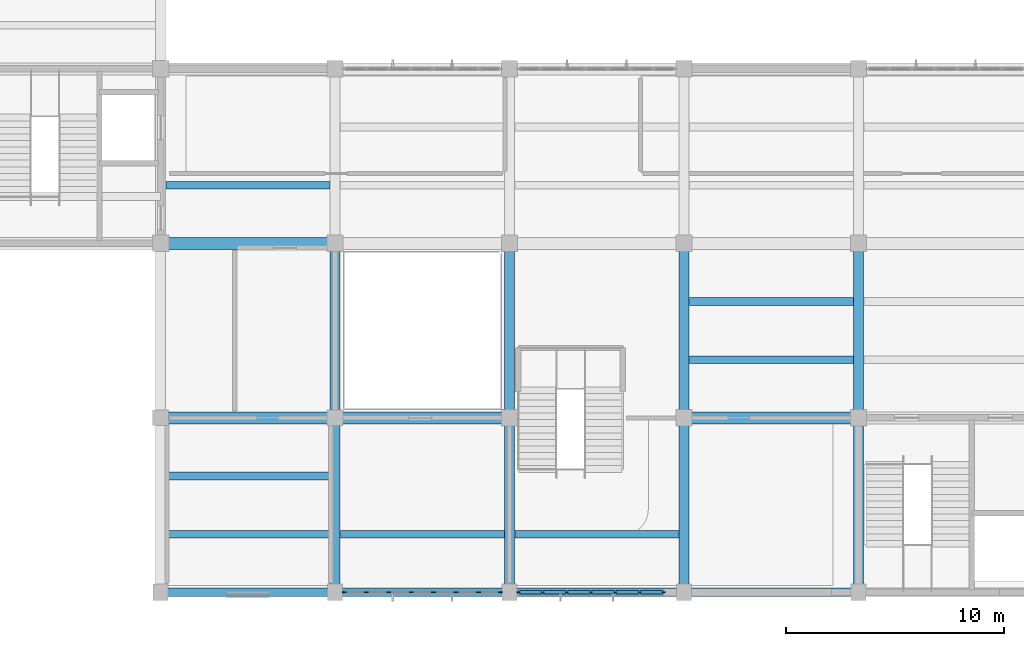
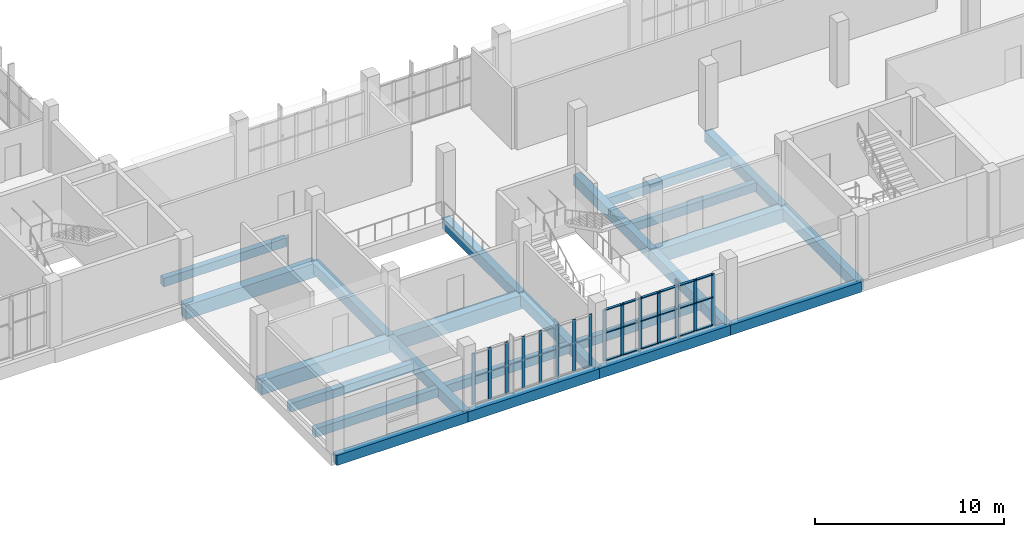
# One storey, part 12 of 85: 33 members, 23 beams, 2 elements without a shape of their own.
"""IFC4 building model written with IfcOpenShell, lengths in metres."""

from ifc_helpers import new_model, si_unit, direction, frame, origin, origin_2d, place, context, subcontext, project, spatial, rectangle, extrude, material, layer, layer_set, material_profile, profile_set, type_object, element, aggregate, save


model = new_model("IFC4")

# Units and contexts
model_context = context("Model", 3, precision=1e-05, world=origin(), true_north=direction((0.0, 1.0)))
body_context = subcontext(model_context, "Body", "Model", "MODEL_VIEW")
ifc_project = project(units=[si_unit("LENGTHUNIT", "METRE"), si_unit("AREAUNIT", "SQUARE_METRE"), si_unit("VOLUMEUNIT", "CUBIC_METRE"), si_unit("PLANEANGLEUNIT", "RADIAN"), si_unit("MASSUNIT", "GRAM", prefix="KILO")], contexts=[model_context])

# Site, building, storey
site_placement = place(None, origin())
site = spatial("IfcSite", under=ifc_project, at=site_placement, CompositionType="ELEMENT")
building_placement = place(site_placement, origin())
building = spatial("IfcBuilding", under=site, at=building_placement, Name="Solvane Community Centre", CompositionType="ELEMENT")
storey_placement = place(building_placement, frame((0.0, 0.0, 5.39990234375)))
storey = spatial("IfcBuildingStorey", under=building, at=storey_placement, Name="L01", CompositionType="ELEMENT", Elevation=5.39990234375)

# Curtain wall, members
ifc_material_1 = material(Name="Anodised bronze aluminium AW-6063 T6", Category="aluminium")
ifc_layer_1 = layer(ifc_material_1, 0.18994140625)
ifc_layer_set_1 = layer_set([ifc_layer_1], Name="Anodised bronze aluminium AW-6063 T6")
curtain_wall_type_1 = type_object("IfcCurtainWallType", Name="Boulevard Bronze Vision Curtain Wall [67x33dm]", PredefinedType="NOTDEFINED", material=ifc_layer_set_1)
curtain_wall_1_placement = place(storey_placement, origin())
curtain_wall_1 = element("IfcCurtainWall", 1, at=curtain_wall_1_placement, inside=storey, type_object=curtain_wall_type_1, Name="Curtain Wall CW-L01-911_60-078", PredefinedType="NOTDEFINED")
ifc_material_profile_1 = material_profile(ifc_material_1, rectangle(XDim=0.06005859375, YDim=0.18994140625, at=origin_2d()), Name="CW-M 60x190")
ifc_profile_set_1 = profile_set([ifc_material_profile_1], Name="Anodised bronze aluminium AW-6063 T6")
member_type_1 = type_object("IfcMemberType", Name="Boulevard Mullion 60x190", PredefinedType="MULLION", material=ifc_profile_set_1)
member_1_placement = place(storey_placement, frame((91.046875, 6.0, 0.0), z_axis=(0.0, 0.0, 1.0), x_axis=(0.0, -1.0, 0.0)))
member_1 = element("IfcMember", 2, at=member_1_placement, type_object=member_type_1, Name="CW02-67x33 mullion 1", PredefinedType="MULLION", context=body_context, shape_type="SweptSolid", body=[
    extrude(rectangle(XDim=0.06005859375, YDim=0.18994140625, at=origin_2d()), origin(), (0.0, 0.0, 1.0), 3.315185546875),
])
member_2_placement = place(storey_placement, frame((89.963134765625, 6.0, 0.0), z_axis=(0.0, 0.0, 1.0), x_axis=(0.0, -1.0, 0.0)))
member_2 = element("IfcMember", 3, at=member_2_placement, type_object=member_type_1, Name="CW02-67x33 mullion 2", PredefinedType="MULLION", context=body_context, shape_type="SweptSolid", body=[
    extrude(rectangle(XDim=0.06005859375, YDim=0.18994140625, at=origin_2d()), origin(), (0.0, 0.0, 1.0), 3.315185546875),
])
member_3_placement = place(storey_placement, frame((88.849609375, 6.0, 0.0), z_axis=(0.0, 0.0, 1.0), x_axis=(0.0, -1.0, 0.0)))
member_3 = element("IfcMember", 4, at=member_3_placement, type_object=member_type_1, Name="CW02-67x33 mullion 3", PredefinedType="MULLION", context=body_context, shape_type="SweptSolid", body=[
    extrude(rectangle(XDim=0.06005859375, YDim=0.18994140625, at=origin_2d()), origin(), (0.0, 0.0, 1.0), 3.315185546875),
])
member_4_placement = place(storey_placement, frame((87.73583984375, 6.0, 0.0), z_axis=(0.0, 0.0, 1.0), x_axis=(0.0, -1.0, 0.0)))
member_4 = element("IfcMember", 5, at=member_4_placement, type_object=member_type_1, Name="CW02-67x33 mullion 4", PredefinedType="MULLION", context=body_context, shape_type="SweptSolid", body=[
    extrude(rectangle(XDim=0.06005859375, YDim=0.18994140625, at=origin_2d()), origin(), (0.0, 0.0, 1.0), 3.315185546875),
])
member_5_placement = place(storey_placement, frame((86.622314453125, 6.0, 0.0), z_axis=(0.0, 0.0, 1.0), x_axis=(0.0, -1.0, 0.0)))
member_5 = element("IfcMember", 6, at=member_5_placement, type_object=member_type_1, Name="CW02-67x33 mullion 5", PredefinedType="MULLION", context=body_context, shape_type="SweptSolid", body=[
    extrude(rectangle(XDim=0.06005859375, YDim=0.18994140625, at=origin_2d()), origin(), (0.0, 0.0, 1.0), 3.315185546875),
])
member_6_placement = place(storey_placement, frame((85.508544921875, 6.0, 0.0), z_axis=(0.0, 0.0, 1.0), x_axis=(0.0, -1.0, 0.0)))
member_6 = element("IfcMember", 7, at=member_6_placement, type_object=member_type_1, Name="CW02-67x33 mullion 6", PredefinedType="MULLION", context=body_context, shape_type="SweptSolid", body=[
    extrude(rectangle(XDim=0.06005859375, YDim=0.18994140625, at=origin_2d()), origin(), (0.0, 0.0, 1.0), 3.315185546875),
])
member_7_placement = place(storey_placement, frame((84.425048828125, 6.0, 0.0), z_axis=(0.0, 0.0, 1.0), x_axis=(0.0, -1.0, 0.0)))
member_7 = element("IfcMember", 8, at=member_7_placement, type_object=member_type_1, Name="CW02-67x33 mullion 7", PredefinedType="MULLION", context=body_context, shape_type="SweptSolid", body=[
    extrude(rectangle(XDim=0.06005859375, YDim=0.18994140625, at=origin_2d()), origin(), (0.0, 0.0, 1.0), 3.315185546875),
])

ifc_layer_2 = layer(ifc_material_1, 0.18994140625)
ifc_layer_set_2 = layer_set([ifc_layer_2], Name="Anodised bronze aluminium AW-6063 T6")
curtain_wall_type_2 = type_object("IfcCurtainWallType", Name="Boulevard Bronze Vision Curtain Wall [72x33dm]", PredefinedType="NOTDEFINED", material=ifc_layer_set_2)
curtain_wall_2_placement = place(storey_placement, origin())
curtain_wall_2 = element("IfcCurtainWall", 9, at=curtain_wall_2_placement, inside=storey, type_object=curtain_wall_type_2, Name="Curtain Wall CW-L01-836_60-079", PredefinedType="NOTDEFINED")
member_8_placement = place(storey_placement, frame((83.574951171875, 6.0, 0.0), z_axis=(0.0, 0.0, 1.0), x_axis=(0.0, -1.0, 0.0)))
member_8 = element("IfcMember", 10, at=member_8_placement, type_object=member_type_1, Name="CW02-72x33 mullion 1", PredefinedType="MULLION", context=body_context, shape_type="SweptSolid", body=[
    extrude(rectangle(XDim=0.06005859375, YDim=0.18994140625, at=origin_2d()), origin(), (0.0, 0.0, 1.0), 3.315185546875),
])
member_9_placement = place(storey_placement, frame((82.574951171875, 6.0, 0.0), z_axis=(0.0, 0.0, 1.0), x_axis=(0.0, -1.0, 0.0)))
member_9 = element("IfcMember", 11, at=member_9_placement, type_object=member_type_1, Name="CW02-72x33 mullion 2", PredefinedType="MULLION", context=body_context, shape_type="SweptSolid", body=[
    extrude(rectangle(XDim=0.06005859375, YDim=0.18994140625, at=origin_2d()), origin(), (0.0, 0.0, 1.0), 3.315185546875),
])
member_10_placement = place(storey_placement, frame((81.544921875, 6.0, 0.0), z_axis=(0.0, 0.0, 1.0), x_axis=(0.0, -1.0, 0.0)))
member_10 = element("IfcMember", 12, at=member_10_placement, type_object=member_type_1, Name="CW02-72x33 mullion 3", PredefinedType="MULLION", context=body_context, shape_type="SweptSolid", body=[
    extrude(rectangle(XDim=0.06005859375, YDim=0.18994140625, at=origin_2d()), origin(), (0.0, 0.0, 1.0), 3.315185546875),
])
member_11_placement = place(storey_placement, frame((80.514892578125, 6.0, 0.0), z_axis=(0.0, 0.0, 1.0), x_axis=(0.0, -1.0, 0.0)))
member_11 = element("IfcMember", 13, at=member_11_placement, type_object=member_type_1, Name="CW02-72x33 mullion 4", PredefinedType="MULLION", context=body_context, shape_type="SweptSolid", body=[
    extrude(rectangle(XDim=0.06005859375, YDim=0.18994140625, at=origin_2d()), origin(), (0.0, 0.0, 1.0), 3.315185546875),
])
member_12_placement = place(storey_placement, frame((79.485107421875, 6.0, 0.0), z_axis=(0.0, 0.0, 1.0), x_axis=(0.0, -1.0, 0.0)))
member_12 = element("IfcMember", 14, at=member_12_placement, type_object=member_type_1, Name="CW02-72x33 mullion 5", PredefinedType="MULLION", context=body_context, shape_type="SweptSolid", body=[
    extrude(rectangle(XDim=0.06005859375, YDim=0.18994140625, at=origin_2d()), origin(), (0.0, 0.0, 1.0), 3.315185546875),
])
member_13_placement = place(storey_placement, frame((78.455078125, 6.0, 0.0), z_axis=(0.0, 0.0, 1.0), x_axis=(0.0, -1.0, 0.0)))
member_13 = element("IfcMember", 15, at=member_13_placement, type_object=member_type_1, Name="CW02-72x33 mullion 6", PredefinedType="MULLION", context=body_context, shape_type="SweptSolid", body=[
    extrude(rectangle(XDim=0.06005859375, YDim=0.18994140625, at=origin_2d()), origin(), (0.0, 0.0, 1.0), 3.315185546875),
])
member_14_placement = place(storey_placement, frame((77.425048828125, 6.0, 0.0), z_axis=(0.0, 0.0, 1.0), x_axis=(0.0, -1.0, 0.0)))
member_14 = element("IfcMember", 16, at=member_14_placement, type_object=member_type_1, Name="CW02-72x33 mullion 7", PredefinedType="MULLION", context=body_context, shape_type="SweptSolid", body=[
    extrude(rectangle(XDim=0.06005859375, YDim=0.18994140625, at=origin_2d()), origin(), (0.0, 0.0, 1.0), 3.315185546875),
])
member_15_placement = place(storey_placement, frame((76.425048828125, 6.0, 0.0), z_axis=(0.0, 0.0, 1.0), x_axis=(0.0, -1.0, 0.0)))
member_15 = element("IfcMember", 17, at=member_15_placement, type_object=member_type_1, Name="CW02-72x33 mullion 8", PredefinedType="MULLION", context=body_context, shape_type="SweptSolid", body=[
    extrude(rectangle(XDim=0.06005859375, YDim=0.18994140625, at=origin_2d()), origin(), (0.0, 0.0, 1.0), 3.315185546875),
])
aggregate(curtain_wall_2, [member_8, member_9, member_10, member_11, member_12, member_13, member_14, member_15])

# Member
ifc_material_profile_2 = material_profile(ifc_material_1, rectangle(XDim=0.14990234375, YDim=0.06005859375, at=origin_2d()), Name="CW-T 60x150")
ifc_profile_set_2 = profile_set([ifc_material_profile_2], Name="Anodised bronze aluminium AW-6063 T6")
member_type_2 = type_object("IfcMemberType", Name="Boulevard Transom 60x150", PredefinedType="USERDEFINED", material=ifc_profile_set_2)
member_16_placement = place(storey_placement, frame((91.016845703125, 6.0, 0.030029296875), z_axis=(-1.0, 0.0, 0.0), x_axis=(0.0, -1.0, 0.0)))
member_16 = element("IfcMember", 18, at=member_16_placement, type_object=member_type_2, Name="CW02-67x33 transom 1.1", ObjectType="TRANSOM", PredefinedType="USERDEFINED", context=body_context, shape_type="SweptSolid", body=[
    extrude(rectangle(XDim=0.14990234375, YDim=0.06005859375, at=origin_2d()), origin(), (0.0, 0.0, 1.0), 1.023681640625),
])

member_17_placement = place(storey_placement, frame((91.016845703125, 6.0, 1.822998046875), z_axis=(-1.0, 0.0, 0.0), x_axis=(0.0, -1.0, 0.0)))
member_17 = element("IfcMember", 19, at=member_17_placement, type_object=member_type_2, Name="CW02-67x33 transom 1.2", ObjectType="TRANSOM", PredefinedType="USERDEFINED", context=body_context, shape_type="SweptSolid", body=[
    extrude(rectangle(XDim=0.14990234375, YDim=0.06005859375, at=origin_2d()), origin(), (0.0, 0.0, 1.0), 1.023681640625),
])

member_18_placement = place(storey_placement, frame((91.016845703125, 6.0, 3.28515625), z_axis=(-1.0, 0.0, 0.0), x_axis=(0.0, -1.0, 0.0)))
member_18 = element("IfcMember", 20, at=member_18_placement, type_object=member_type_2, Name="CW02-67x33 transom 1.3", ObjectType="TRANSOM", PredefinedType="USERDEFINED", context=body_context, shape_type="SweptSolid", body=[
    extrude(rectangle(XDim=0.14990234375, YDim=0.06005859375, at=origin_2d()), origin(), (0.0, 0.0, 1.0), 1.023681640625),
])

member_19_placement = place(storey_placement, frame((89.933349609375, 6.0, 0.030029296875), z_axis=(-1.0, 0.0, 0.0), x_axis=(0.0, -1.0, 0.0)))
member_19 = element("IfcMember", 21, at=member_19_placement, type_object=member_type_2, Name="CW02-67x33 transom 2.1", ObjectType="TRANSOM", PredefinedType="USERDEFINED", context=body_context, shape_type="SweptSolid", body=[
    extrude(rectangle(XDim=0.14990234375, YDim=0.06005859375, at=origin_2d()), origin(), (0.0, 0.0, 1.0), 1.0537109375),
])

member_20_placement = place(storey_placement, frame((89.933349609375, 6.0, 1.822998046875), z_axis=(-1.0, 0.0, 0.0), x_axis=(0.0, -1.0, 0.0)))
member_20 = element("IfcMember", 22, at=member_20_placement, type_object=member_type_2, Name="CW02-67x33 transom 2.2", ObjectType="TRANSOM", PredefinedType="USERDEFINED", context=body_context, shape_type="SweptSolid", body=[
    extrude(rectangle(XDim=0.14990234375, YDim=0.06005859375, at=origin_2d()), origin(), (0.0, 0.0, 1.0), 1.0537109375),
])

member_21_placement = place(storey_placement, frame((89.933349609375, 6.0, 3.28515625), z_axis=(-1.0, 0.0, 0.0), x_axis=(0.0, -1.0, 0.0)))
member_21 = element("IfcMember", 23, at=member_21_placement, type_object=member_type_2, Name="CW02-67x33 transom 2.3", ObjectType="TRANSOM", PredefinedType="USERDEFINED", context=body_context, shape_type="SweptSolid", body=[
    extrude(rectangle(XDim=0.14990234375, YDim=0.06005859375, at=origin_2d()), origin(), (0.0, 0.0, 1.0), 1.0537109375),
])

member_22_placement = place(storey_placement, frame((88.819580078125, 6.0, 0.030029296875), z_axis=(-1.0, 0.0, 0.0), x_axis=(0.0, -1.0, 0.0)))
member_22 = element("IfcMember", 24, at=member_22_placement, type_object=member_type_2, Name="CW02-67x33 transom 3.1", ObjectType="TRANSOM", PredefinedType="USERDEFINED", context=body_context, shape_type="SweptSolid", body=[
    extrude(rectangle(XDim=0.14990234375, YDim=0.06005859375, at=origin_2d()), origin(), (0.0, 0.0, 1.0), 1.0537109375),
])

member_23_placement = place(storey_placement, frame((88.819580078125, 6.0, 1.822998046875), z_axis=(-1.0, 0.0, 0.0), x_axis=(0.0, -1.0, 0.0)))
member_23 = element("IfcMember", 25, at=member_23_placement, type_object=member_type_2, Name="CW02-67x33 transom 3.2", ObjectType="TRANSOM", PredefinedType="USERDEFINED", context=body_context, shape_type="SweptSolid", body=[
    extrude(rectangle(XDim=0.14990234375, YDim=0.06005859375, at=origin_2d()), origin(), (0.0, 0.0, 1.0), 1.0537109375),
])

member_24_placement = place(storey_placement, frame((88.819580078125, 6.0, 3.28515625), z_axis=(-1.0, 0.0, 0.0), x_axis=(0.0, -1.0, 0.0)))
member_24 = element("IfcMember", 26, at=member_24_placement, type_object=member_type_2, Name="CW02-67x33 transom 3.3", ObjectType="TRANSOM", PredefinedType="USERDEFINED", context=body_context, shape_type="SweptSolid", body=[
    extrude(rectangle(XDim=0.14990234375, YDim=0.06005859375, at=origin_2d()), origin(), (0.0, 0.0, 1.0), 1.0537109375),
])

member_25_placement = place(storey_placement, frame((87.7060546875, 6.0, 0.030029296875), z_axis=(-1.0, 0.0, 0.0), x_axis=(0.0, -1.0, 0.0)))
member_25 = element("IfcMember", 27, at=member_25_placement, type_object=member_type_2, Name="CW02-67x33 transom 4.1", ObjectType="TRANSOM", PredefinedType="USERDEFINED", context=body_context, shape_type="SweptSolid", body=[
    extrude(rectangle(XDim=0.14990234375, YDim=0.06005859375, at=origin_2d()), origin(), (0.0, 0.0, 1.0), 1.0537109375),
])

member_26_placement = place(storey_placement, frame((87.7060546875, 6.0, 1.822998046875), z_axis=(-1.0, 0.0, 0.0), x_axis=(0.0, -1.0, 0.0)))
member_26 = element("IfcMember", 28, at=member_26_placement, type_object=member_type_2, Name="CW02-67x33 transom 4.2", ObjectType="TRANSOM", PredefinedType="USERDEFINED", context=body_context, shape_type="SweptSolid", body=[
    extrude(rectangle(XDim=0.14990234375, YDim=0.06005859375, at=origin_2d()), origin(), (0.0, 0.0, 1.0), 1.0537109375),
])

member_27_placement = place(storey_placement, frame((87.7060546875, 6.0, 3.28515625), z_axis=(-1.0, 0.0, 0.0), x_axis=(0.0, -1.0, 0.0)))
member_27 = element("IfcMember", 29, at=member_27_placement, type_object=member_type_2, Name="CW02-67x33 transom 4.3", ObjectType="TRANSOM", PredefinedType="USERDEFINED", context=body_context, shape_type="SweptSolid", body=[
    extrude(rectangle(XDim=0.14990234375, YDim=0.06005859375, at=origin_2d()), origin(), (0.0, 0.0, 1.0), 1.0537109375),
])

member_28_placement = place(storey_placement, frame((86.59228515625, 6.0, 0.030029296875), z_axis=(-1.0, 0.0, 0.0), x_axis=(0.0, -1.0, 0.0)))
member_28 = element("IfcMember", 30, at=member_28_placement, type_object=member_type_2, Name="CW02-67x33 transom 5.1", ObjectType="TRANSOM", PredefinedType="USERDEFINED", context=body_context, shape_type="SweptSolid", body=[
    extrude(rectangle(XDim=0.14990234375, YDim=0.06005859375, at=origin_2d()), origin(), (0.0, 0.0, 1.0), 1.0537109375),
])

member_29_placement = place(storey_placement, frame((86.59228515625, 6.0, 1.822998046875), z_axis=(-1.0, 0.0, 0.0), x_axis=(0.0, -1.0, 0.0)))
member_29 = element("IfcMember", 31, at=member_29_placement, type_object=member_type_2, Name="CW02-67x33 transom 5.2", ObjectType="TRANSOM", PredefinedType="USERDEFINED", context=body_context, shape_type="SweptSolid", body=[
    extrude(rectangle(XDim=0.14990234375, YDim=0.06005859375, at=origin_2d()), origin(), (0.0, 0.0, 1.0), 1.0537109375),
])

member_30_placement = place(storey_placement, frame((86.59228515625, 6.0, 3.28515625), z_axis=(-1.0, 0.0, 0.0), x_axis=(0.0, -1.0, 0.0)))
member_30 = element("IfcMember", 32, at=member_30_placement, type_object=member_type_2, Name="CW02-67x33 transom 5.3", ObjectType="TRANSOM", PredefinedType="USERDEFINED", context=body_context, shape_type="SweptSolid", body=[
    extrude(rectangle(XDim=0.14990234375, YDim=0.06005859375, at=origin_2d()), origin(), (0.0, 0.0, 1.0), 1.0537109375),
])

member_31_placement = place(storey_placement, frame((85.478759765625, 6.0, 0.030029296875), z_axis=(-1.0, 0.0, 0.0), x_axis=(0.0, -1.0, 0.0)))
member_31 = element("IfcMember", 33, at=member_31_placement, type_object=member_type_2, Name="CW02-67x33 transom 6.1", ObjectType="TRANSOM", PredefinedType="USERDEFINED", context=body_context, shape_type="SweptSolid", body=[
    extrude(rectangle(XDim=0.14990234375, YDim=0.06005859375, at=origin_2d()), origin(), (0.0, 0.0, 1.0), 1.023681640625),
])

member_32_placement = place(storey_placement, frame((85.478759765625, 6.0, 1.822998046875), z_axis=(-1.0, 0.0, 0.0), x_axis=(0.0, -1.0, 0.0)))
member_32 = element("IfcMember", 34, at=member_32_placement, type_object=member_type_2, Name="CW02-67x33 transom 6.2", ObjectType="TRANSOM", PredefinedType="USERDEFINED", context=body_context, shape_type="SweptSolid", body=[
    extrude(rectangle(XDim=0.14990234375, YDim=0.06005859375, at=origin_2d()), origin(), (0.0, 0.0, 1.0), 1.023681640625),
])

member_33_placement = place(storey_placement, frame((85.478759765625, 6.0, 3.28515625), z_axis=(-1.0, 0.0, 0.0), x_axis=(0.0, -1.0, 0.0)))
member_33 = element("IfcMember", 35, at=member_33_placement, type_object=member_type_2, Name="CW02-67x33 transom 6.3", ObjectType="TRANSOM", PredefinedType="USERDEFINED", context=body_context, shape_type="SweptSolid", body=[
    extrude(rectangle(XDim=0.14990234375, YDim=0.06005859375, at=origin_2d()), origin(), (0.0, 0.0, 1.0), 1.023681640625),
])

aggregate(curtain_wall_1, [member_1, member_2, member_3, member_4, member_5, member_6, member_7, member_16, member_17, member_18, member_19, member_20, member_21, member_22, member_23, member_24, member_25, member_26, member_27, member_28, member_29, member_30, member_31, member_32, member_33])

# Beams
ifc_material_2 = material(Name="Concrete C35/45", Category="concrete")
ifc_material_profile_3 = material_profile(ifc_material_2, rectangle(XDim=0.449951171875, YDim=0.699951171875, at=origin_2d()), Name="RC 450x700")
ifc_profile_set_3 = profile_set([ifc_material_profile_3], Name="Concrete C35/45")
beam_type_1 = type_object("IfcBeamType", Name="RC Floor Beam 450x700", PredefinedType="BEAM", material=ifc_profile_set_3)
for number, where, z_axis, x_axis, name in (
    (36, (76.0, 6.0, -0.58984375), (0.0, 1.0, 0.0), (-1.0, 0.0, 0.0), "Beam BM-L01-760_60-760_140"),
    (37, (76.0, 14.0, -0.58984375), (0.0, 1.0, 0.0), (-1.0, 0.0, 0.0), "Beam BM-L01-760_140-760_220"),
    (38, (84.0, 6.0, -0.58984375), (0.0, 1.0, 0.0), (-1.0, 0.0, 0.0), "Beam BM-L01-840_60-840_140"),
    (39, (84.0, 14.0, -0.58984375), (0.0, 1.0, 0.0), (-1.0, 0.0, 0.0), "Beam BM-L01-840_140-840_220"),
    (40, (92.0, 6.0, -0.58984375), (0.0, 1.0, 0.0), (-1.0, 0.0, 0.0), "Beam BM-L01-920_60-920_140"),
    (41, (92.0, 14.0, -0.58984375), (0.0, 1.0, 0.0), (-1.0, 0.0, 0.0), "Beam BM-L01-920_140-920_220"),
    (42, (100.0, 6.0, -0.58984375), (0.0, 1.0, 0.0), (-1.0, 0.0, 0.0), "Beam BM-L01-1000_60-1000_140"),
    (43, (100.0, 14.0, -0.58984375), (0.0, 1.0, 0.0), (-1.0, 0.0, 0.0), "Beam BM-L01-1000_140-1000_220"),
):
    element("IfcBeam", number, at=place(storey_placement, frame(where, z_axis=z_axis, x_axis=x_axis)), inside=storey, type_object=beam_type_1, Name=name, PredefinedType="BEAM", context=body_context, shape_type="SweptSolid", body=[
        extrude(rectangle(XDim=0.449951171875, YDim=0.699951171875, at=origin_2d()), origin(), (0.0, 0.0, 1.0), 8.0),
    ])
ifc_material_profile_4 = material_profile(ifc_material_2, rectangle(XDim=0.550048828125, YDim=0.89990234375, at=origin_2d()), Name="RC 550x900")
ifc_profile_set_4 = profile_set([ifc_material_profile_4], Name="Concrete C35/45")
beam_type_2 = type_object("IfcBeamType", Name="RC Heavy Girder 550x900", PredefinedType="USERDEFINED", material=ifc_profile_set_4)
for number, where, z_axis, x_axis, name in (
    (44, (68.0, 14.0, -0.68994140625), (1.0, 0.0, 0.0), (0.0, 1.0, 0.0), "Beam BM-L01-680_140-760_140"),
    (45, (76.0, 14.0, -0.68994140625), (1.0, 0.0, 0.0), (0.0, 1.0, 0.0), "Beam BM-L01-760_140-840_140"),
    (46, (92.0, 14.0, -0.68994140625), (1.0, 0.0, 0.0), (0.0, 1.0, 0.0), "Beam BM-L01-920_140-1000_140"),
    (47, (68.0, 22.0, -0.68994140625), (1.0, 0.0, 0.0), (0.0, 1.0, 0.0), "Beam BM-L01-680_220-760_220"),
):
    element("IfcBeam", number, at=place(storey_placement, frame(where, z_axis=z_axis, x_axis=x_axis)), inside=storey, type_object=beam_type_2, Name=name, ObjectType="GIRDER", PredefinedType="USERDEFINED", context=body_context, shape_type="SweptSolid", body=[
        extrude(rectangle(XDim=0.550048828125, YDim=0.89990234375, at=origin_2d()), origin(), (0.0, 0.0, 1.0), 8.0),
    ])
ifc_material_profile_5 = material_profile(ifc_material_2, rectangle(XDim=0.35009765625, YDim=0.550048828125, at=origin_2d()), Name="RC 350x550")
ifc_profile_set_5 = profile_set([ifc_material_profile_5], Name="Concrete C35/45")
beam_type_3 = type_object("IfcBeamType", Name="RC Secondary Joist 350x550", PredefinedType="JOIST", material=ifc_profile_set_5)
for number, where, z_axis, x_axis, name in (
    (48, (68.239990234375, 8.666748046875, -0.514892578125), (1.0, 0.0, 0.0), (0.0, 1.0, 0.0), "Beam BM-L01-682_87-758_87"),
    (49, (68.239990234375, 11.333251953125, -0.514892578125), (1.0, 0.0, 0.0), (0.0, 1.0, 0.0), "Beam BM-L01-682_113-758_113"),
    (50, (68.239990234375, 24.666748046875, -0.514892578125), (1.0, 0.0, 0.0), (0.0, 1.0, 0.0), "Beam BM-L01-682_247-758_247"),
    (51, (76.239990234375, 8.666748046875, -0.514892578125), (1.0, 0.0, 0.0), (0.0, 1.0, 0.0), "Beam BM-L01-762_87-838_87"),
    (52, (84.239990234375, 8.666748046875, -0.514892578125), (1.0, 0.0, 0.0), (0.0, 1.0, 0.0), "Beam BM-L01-842_87-918_87"),
    (53, (92.239990234375, 16.666748046875, -0.514892578125), (1.0, 0.0, 0.0), (0.0, 1.0, 0.0), "Beam BM-L01-922_167-998_167"),
    (54, (92.239990234375, 19.333251953125, -0.514892578125), (1.0, 0.0, 0.0), (0.0, 1.0, 0.0), "Beam BM-L01-922_193-998_193"),
):
    element("IfcBeam", number, at=place(storey_placement, frame(where, z_axis=z_axis, x_axis=x_axis)), inside=storey, type_object=beam_type_3, Name=name, PredefinedType="JOIST", context=body_context, shape_type="SweptSolid", body=[
        extrude(rectangle(XDim=0.35009765625, YDim=0.550048828125, at=origin_2d()), origin(), (0.0, 0.0, 1.0), 7.52001953125),
    ])
ifc_material_profile_6 = material_profile(ifc_material_2, rectangle(XDim=0.39990234375, YDim=0.64990234375, at=origin_2d()), Name="RC 400x650")
ifc_profile_set_6 = profile_set([ifc_material_profile_6], Name="Concrete C35/45")
beam_type_4 = type_object("IfcBeamType", Name="RC Spandrel Edge Beam 400x650", PredefinedType="SPANDREL", material=ifc_profile_set_6)
for number, where, z_axis, x_axis, name in (
    (55, (68.0, 6.0, -0.56494140625), (1.0, 0.0, 0.0), (0.0, 1.0, 0.0), "Beam BM-L01-680_60-760_60"),
    (56, (76.0, 6.0, -0.56494140625), (1.0, 0.0, 0.0), (0.0, 1.0, 0.0), "Beam BM-L01-760_60-840_60"),
    (57, (84.0, 6.0, -0.56494140625), (1.0, 0.0, 0.0), (0.0, 1.0, 0.0), "Beam BM-L01-840_60-920_60"),
    (58, (92.0, 6.0, -0.56494140625), (1.0, 0.0, 0.0), (0.0, 1.0, 0.0), "Beam BM-L01-920_60-1000_60"),
):
    element("IfcBeam", number, at=place(storey_placement, frame(where, z_axis=z_axis, x_axis=x_axis)), inside=storey, type_object=beam_type_4, Name=name, PredefinedType="SPANDREL", context=body_context, shape_type="SweptSolid", body=[
        extrude(rectangle(XDim=0.39990234375, YDim=0.64990234375, at=origin_2d()), origin(), (0.0, 0.0, 1.0), 8.0),
    ])

save(model, "model.ifc")
